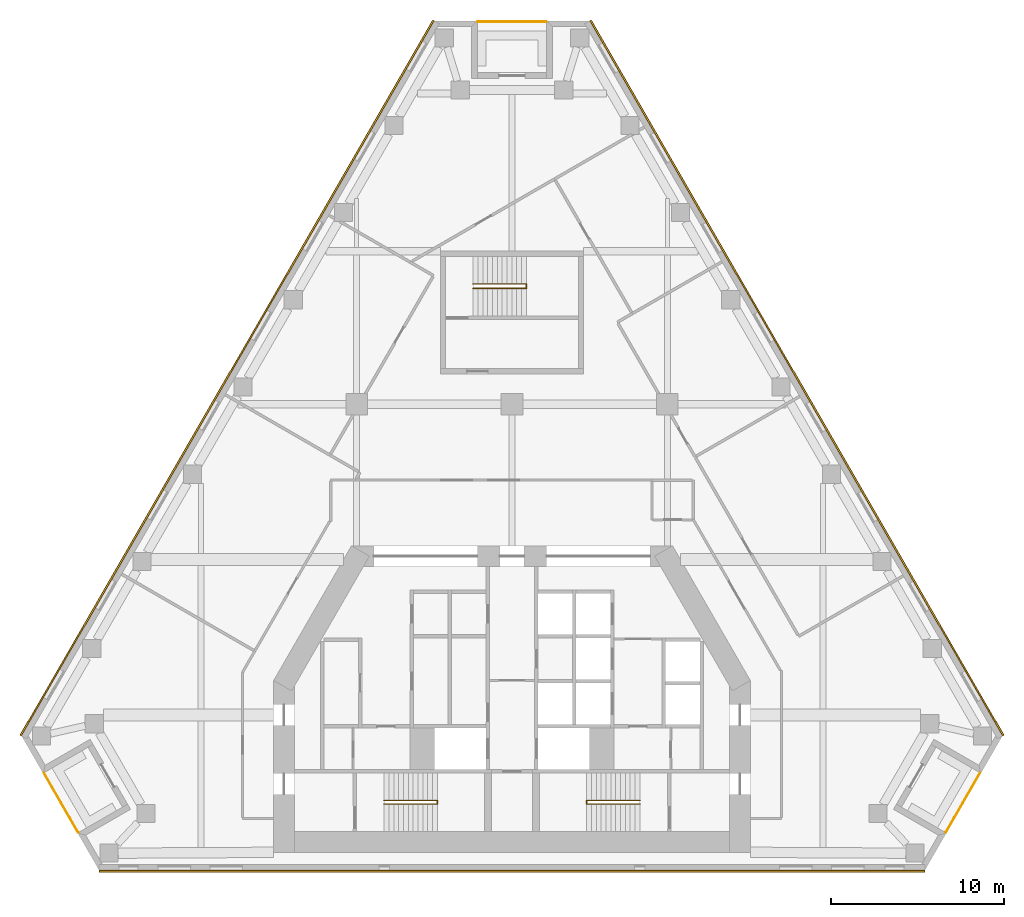
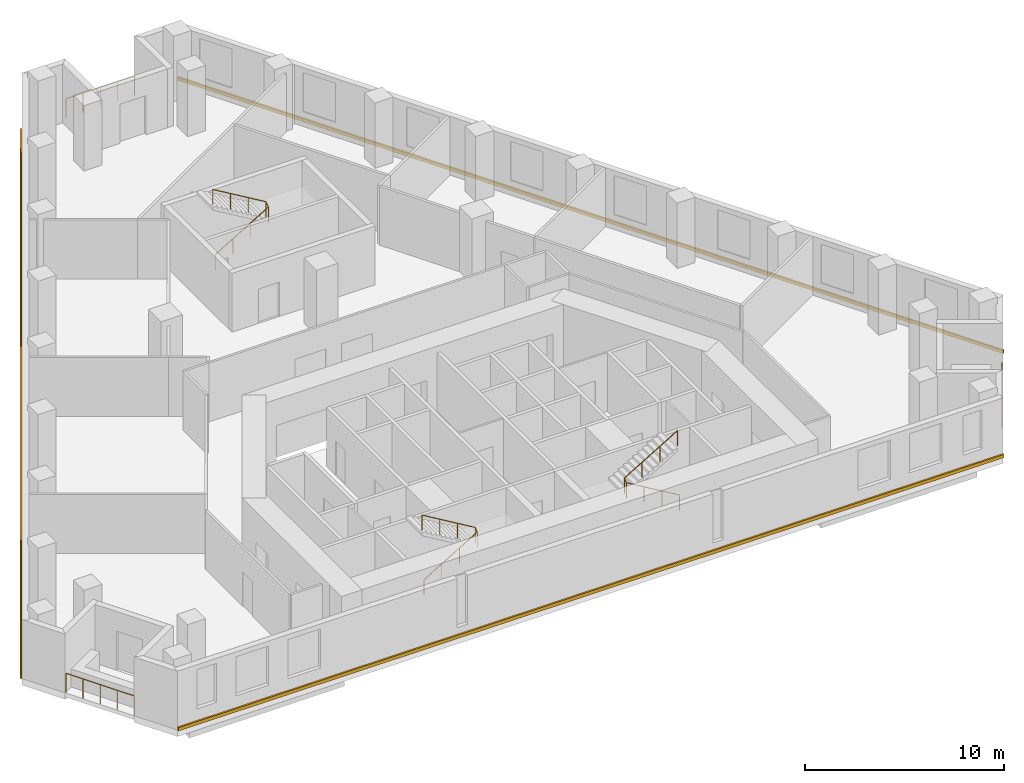
# One storey, part 7 of 7: 6 railings, 3 coverings.
"""IFC4 building model written with IfcOpenShell, lengths in metres."""

from ifc_helpers import new_model, si_unit, direction, frame, origin, origin_2d, place, context, subcontext, project, spatial, polyline, circle, outline, extrude, material, type_object, element, save


model = new_model("IFC4")

# Units and contexts
model_context = context("Model", 3, precision=1e-05, world=origin(), true_north=direction((0.0, 1.0)))
body_context = subcontext(model_context, "Body", "Model", "MODEL_VIEW")
ifc_project = project(units=[si_unit("LENGTHUNIT", "METRE"), si_unit("AREAUNIT", "SQUARE_METRE"), si_unit("VOLUMEUNIT", "CUBIC_METRE"), si_unit("PLANEANGLEUNIT", "RADIAN"), si_unit("MASSUNIT", "GRAM", prefix="KILO")], contexts=[model_context])

# Site, building, storey
site_placement = place(None, origin())
site = spatial("IfcSite", under=ifc_project, at=site_placement, CompositionType="ELEMENT")
building_placement = place(site_placement, origin())
building = spatial("IfcBuilding", under=site, at=building_placement, Name="Fogline Exchange Tower", CompositionType="ELEMENT")
storey_placement = place(building_placement, frame((0.0, 0.0, 166.89990234375)))
storey = spatial("IfcBuildingStorey", under=building, at=storey_placement, Name="L37", CompositionType="ELEMENT", Elevation=166.89990234375)

# Railings
ifc_material_1 = material(Name="Stainless steel 304", Category="steel")
railing_type_1 = type_object("IfcRailingType", Name="G1", PredefinedType="GUARDRAIL", material=ifc_material_1)
railing_1_placement = place(storey_placement, frame((-27.099853515625, 5.635986328125, 0.0)))
element("IfcRailing", 1, at=railing_1_placement, inside=storey, type_object=railing_type_1, Name="Balcony guard L37 SW", PredefinedType="GUARDRAIL", context=body_context, shape_type="SweptSolid", body=[
    extrude(circle(Radius=0.02392578125, at=origin_2d()), frame((0.0, 0.0, 1.17578125), z_axis=(0.500000102728, -0.866025344474, 0.0), x_axis=(0.866025344474, 0.500000102728, 0.0)), (0.0, 0.0, 1.0), 3.9580078125),
    extrude(circle(Radius=0.02099609375, at=origin_2d()), origin(), (0.0, 0.0, 1.0), 1.15185546875),
    extrude(circle(Radius=0.02099609375, at=origin_2d()), frame((0.49462890625, -0.85693359375, 0.0)), (0.0, 0.0, 1.0), 1.15185546875),
    extrude(circle(Radius=0.02099609375, at=origin_2d()), frame((0.989501953125, -1.7138671875, 0.0)), (0.0, 0.0, 1.0), 1.15185546875),
    extrude(circle(Radius=0.02099609375, at=origin_2d()), frame((1.484375, -2.57080078125, 0.0)), (0.0, 0.0, 1.0), 1.15185546875),
    extrude(circle(Radius=0.02099609375, at=origin_2d()), frame((1.97900390625, -3.427734375, 0.0)), (0.0, 0.0, 1.0), 1.15185546875),
])
railing_2_placement = place(storey_placement, frame((25.120849609375, 2.208251953125, 0.0)))
element("IfcRailing", 2, at=railing_2_placement, inside=storey, type_object=railing_type_1, Name="Balcony guard L37 SE", PredefinedType="GUARDRAIL", context=body_context, shape_type="SweptSolid", body=[
    extrude(circle(Radius=0.02392578125, at=origin_2d()), frame((0.0, 0.0, 1.17578125), z_axis=(0.500000102728, 0.866025344474, 0.0), x_axis=(-0.866025344474, 0.500000102728, 0.0)), (0.0, 0.0, 1.0), 3.9580078125),
    extrude(circle(Radius=0.02099609375, at=origin_2d()), origin(), (0.0, 0.0, 1.0), 1.15185546875),
    extrude(circle(Radius=0.02099609375, at=origin_2d()), frame((0.49462890625, 0.85693359375, 0.0)), (0.0, 0.0, 1.0), 1.15185546875),
    extrude(circle(Radius=0.02099609375, at=origin_2d()), frame((0.989501953125, 1.7138671875, 0.0)), (0.0, 0.0, 1.0), 1.15185546875),
    extrude(circle(Radius=0.02099609375, at=origin_2d()), frame((1.484375, 2.57080078125, 0.0)), (0.0, 0.0, 1.0), 1.15185546875),
    extrude(circle(Radius=0.02099609375, at=origin_2d()), frame((1.97900390625, 3.427734375, 0.0)), (0.0, 0.0, 1.0), 1.15185546875),
])
railing_3_placement = place(storey_placement, frame((1.97900390625, 49.146728515625, 0.0)))
element("IfcRailing", 3, at=railing_3_placement, inside=storey, type_object=railing_type_1, Name="Balcony guard L37 N", PredefinedType="GUARDRAIL", context=body_context, shape_type="SweptSolid", body=[
    extrude(circle(Radius=0.02392578125, at=origin_2d()), frame((0.0, 0.0, 1.17578125), z_axis=(-1.0, 0.0, 0.0), x_axis=(0.0, -1.0, 0.0)), (0.0, 0.0, 1.0), 3.9580078125),
    extrude(circle(Radius=0.02099609375, at=origin_2d()), origin(), (0.0, 0.0, 1.0), 1.15185546875),
    extrude(circle(Radius=0.02099609375, at=origin_2d()), frame((-0.989501953125, 0.0, 0.0)), (0.0, 0.0, 1.0), 1.15185546875),
    extrude(circle(Radius=0.02099609375, at=origin_2d()), frame((-1.97900390625, 0.0, 0.0)), (0.0, 0.0, 1.0), 1.15185546875),
    extrude(circle(Radius=0.02099609375, at=origin_2d()), frame((-2.968505859375, 0.0, 0.0)), (0.0, 0.0, 1.0), 1.15185546875),
    extrude(circle(Radius=0.02099609375, at=origin_2d()), frame((-3.9580078125, 0.0, 0.0)), (0.0, 0.0, 1.0), 1.15185546875),
])
ifc_material_2 = material(Name="Steel Q235B", Category="steel")
railing_type_2 = type_object("IfcRailingType", Name="RL-HR", PredefinedType="HANDRAIL", material=ifc_material_2)
railing_4_placement = place(storey_placement, frame((-7.39990234375, 3.85009765625, 0.166748046875)))
element("IfcRailing", 4, at=railing_4_placement, inside=storey, type_object=railing_type_2, Name="Handrail ST1", PredefinedType="HANDRAIL", context=body_context, shape_type="SweptSolid", body=[
    extrude(circle(Radius=0.02392578125, at=origin_2d()), frame((0.0, 0.0, 0.92578125), z_axis=(0.859290745958, 0.0, 0.51148745235), x_axis=(0.0, 1.0, 0.0)), (0.0, 0.0, 1.0), 3.584228515625),
    extrude(circle(Radius=0.02392578125, at=origin_2d()), frame((3.079833984375, 0.0, 2.75927734375), z_axis=(0.0, 0.767990643491, 0.640461061666), x_axis=(-1.0, 0.0, 0.0)), (0.0, 0.0, 1.0), 0.26025390625),
    extrude(circle(Radius=0.02392578125, at=origin_2d()), frame((3.079833984375, 0.199951171875, 2.92578125), z_axis=(-0.859290745958, 0.0, 0.51148745235), x_axis=(0.0, -1.0, 0.0)), (0.0, 0.0, 1.0), 3.584228515625),
    extrude(circle(Radius=0.02099609375, at=origin_2d()), origin(), (0.0, 0.0, 1.0), 0.90185546875),
    extrude(circle(Radius=0.02099609375, at=origin_2d()), frame((1.026611328125, 0.0, 0.611083984375)), (0.0, 0.0, 1.0), 0.90185546875),
    extrude(circle(Radius=0.02099609375, at=origin_2d()), frame((2.05322265625, 0.0, 1.22216796875)), (0.0, 0.0, 1.0), 0.90185546875),
    extrude(circle(Radius=0.02099609375, at=origin_2d()), frame((3.079833984375, 0.0, 1.833251953125)), (0.0, 0.0, 1.0), 0.90185546875),
    extrude(circle(Radius=0.02099609375, at=origin_2d()), frame((3.079833984375, 0.199951171875, 2.0)), (0.0, 0.0, 1.0), 0.90185546875),
    extrude(circle(Radius=0.02099609375, at=origin_2d()), frame((2.05322265625, 0.199951171875, 2.611083984375)), (0.0, 0.0, 1.0), 0.90185546875),
    extrude(circle(Radius=0.02099609375, at=origin_2d()), frame((1.026611328125, 0.199951171875, 3.22216796875)), (0.0, 0.0, 1.0), 0.90185546875),
    extrude(circle(Radius=0.02099609375, at=origin_2d()), frame((0.0, 0.199951171875, 3.833251953125)), (0.0, 0.0, 1.0), 0.90185546875),
])
railing_5_placement = place(storey_placement, frame((7.39990234375, 3.85009765625, 0.166748046875)))
element("IfcRailing", 5, at=railing_5_placement, inside=storey, type_object=railing_type_2, Name="Handrail ST2", PredefinedType="HANDRAIL", context=body_context, shape_type="SweptSolid", body=[
    extrude(circle(Radius=0.02392578125, at=origin_2d()), frame((0.0, 0.0, 0.92578125), z_axis=(-0.859290745958, 0.0, 0.51148745235), x_axis=(0.0, -1.0, 0.0)), (0.0, 0.0, 1.0), 3.584228515625),
    extrude(circle(Radius=0.02392578125, at=origin_2d()), frame((-3.079833984375, 0.0, 2.75927734375), z_axis=(0.0, 0.767990643491, 0.640461061666), x_axis=(-1.0, 0.0, 0.0)), (0.0, 0.0, 1.0), 0.26025390625),
    extrude(circle(Radius=0.02392578125, at=origin_2d()), frame((-3.079833984375, 0.199951171875, 2.92578125), z_axis=(0.859290745958, 0.0, 0.51148745235), x_axis=(0.0, 1.0, 0.0)), (0.0, 0.0, 1.0), 3.584228515625),
    extrude(circle(Radius=0.02099609375, at=origin_2d()), origin(), (0.0, 0.0, 1.0), 0.90185546875),
    extrude(circle(Radius=0.02099609375, at=origin_2d()), frame((-1.026611328125, 0.0, 0.611083984375)), (0.0, 0.0, 1.0), 0.90185546875),
    extrude(circle(Radius=0.02099609375, at=origin_2d()), frame((-2.05322265625, 0.0, 1.22216796875)), (0.0, 0.0, 1.0), 0.90185546875),
    extrude(circle(Radius=0.02099609375, at=origin_2d()), frame((-3.079833984375, 0.0, 1.833251953125)), (0.0, 0.0, 1.0), 0.90185546875),
    extrude(circle(Radius=0.02099609375, at=origin_2d()), frame((-3.079833984375, 0.199951171875, 2.0)), (0.0, 0.0, 1.0), 0.90185546875),
    extrude(circle(Radius=0.02099609375, at=origin_2d()), frame((-2.05322265625, 0.199951171875, 2.611083984375)), (0.0, 0.0, 1.0), 0.90185546875),
    extrude(circle(Radius=0.02099609375, at=origin_2d()), frame((-1.026611328125, 0.199951171875, 3.22216796875)), (0.0, 0.0, 1.0), 0.90185546875),
    extrude(circle(Radius=0.02099609375, at=origin_2d()), frame((0.0, 0.199951171875, 3.833251953125)), (0.0, 0.0, 1.0), 0.90185546875),
])
railing_6_placement = place(storey_placement, frame((-2.25, 33.70703125, 0.166748046875)))
element("IfcRailing", 6, at=railing_6_placement, inside=storey, type_object=railing_type_2, Name="Handrail ST3", PredefinedType="HANDRAIL", context=body_context, shape_type="SweptSolid", body=[
    extrude(circle(Radius=0.02392578125, at=origin_2d()), frame((0.0, 0.0, 0.92578125), z_axis=(0.859308565015, 0.0, 0.511457515432), x_axis=(0.0, 1.0, 0.0)), (0.0, 0.0, 1.0), 3.58447265625),
    extrude(circle(Radius=0.02392578125, at=origin_2d()), frame((3.080078125, 0.0, 2.75927734375), z_axis=(0.0, 0.831925284441, 0.554887665306), x_axis=(-1.0, 0.0, 0.0)), (0.0, 0.0, 1.0), 0.300537109375),
    extrude(circle(Radius=0.02392578125, at=origin_2d()), frame((3.080078125, 0.25, 2.92578125), z_axis=(-0.859308565015, 0.0, 0.511457515432), x_axis=(0.0, -1.0, 0.0)), (0.0, 0.0, 1.0), 3.58447265625),
    extrude(circle(Radius=0.02099609375, at=origin_2d()), origin(), (0.0, 0.0, 1.0), 0.90185546875),
    extrude(circle(Radius=0.02099609375, at=origin_2d()), frame((1.026611328125, 0.0, 0.611083984375)), (0.0, 0.0, 1.0), 0.90185546875),
    extrude(circle(Radius=0.02099609375, at=origin_2d()), frame((2.053466796875, 0.0, 1.22216796875)), (0.0, 0.0, 1.0), 0.90185546875),
    extrude(circle(Radius=0.02099609375, at=origin_2d()), frame((3.080078125, 0.0, 1.833251953125)), (0.0, 0.0, 1.0), 0.90185546875),
    extrude(circle(Radius=0.02099609375, at=origin_2d()), frame((3.080078125, 0.25, 2.0)), (0.0, 0.0, 1.0), 0.90185546875),
    extrude(circle(Radius=0.02099609375, at=origin_2d()), frame((2.053466796875, 0.25, 2.611083984375)), (0.0, 0.0, 1.0), 0.90185546875),
    extrude(circle(Radius=0.02099609375, at=origin_2d()), frame((1.026611328125, 0.25, 3.22216796875)), (0.0, 0.0, 1.0), 0.90185546875),
    extrude(circle(Radius=0.02099609375, at=origin_2d()), frame((0.0, 0.25, 3.833251953125)), (0.0, 0.0, 1.0), 0.90185546875),
])

# Coverings
ifc_material_3 = material(Name="Brick masonry", Category="masonry")
covering_type = type_object("IfcCoveringType", Name="SB1", PredefinedType="CLADDING", material=ifc_material_3)
covering_1_placement = place(storey_placement, origin())
element("IfcCovering", 7, at=covering_1_placement, inside=storey, type_object=covering_type, Name="Stringcourse band L37 S", PredefinedType="CLADDING", context=body_context, shape_type="SweptSolid", body=[
    extrude(outline(polyline([(-23.90380859375, 0.0), (-23.90380859375, -0.10009765625), (23.90380859375, -0.10009765625), (23.90380859375, 0.0), (-23.90380859375, 0.0)])), origin(), (0.0, 0.0, 1.0), 0.2001953125),
])
covering_2_placement = place(storey_placement, origin())
element("IfcCovering", 8, at=covering_2_placement, inside=storey, type_object=covering_type, Name="Stringcourse band L37 E", PredefinedType="CLADDING", context=body_context, shape_type="SweptSolid", body=[
    extrude(outline(polyline([(28.40380859375, 7.794189453125), (28.490234375, 7.84423828125), (4.586669921875, 49.24658203125), (4.5, 49.19677734375), (28.40380859375, 7.794189453125)])), origin(), (0.0, 0.0, 1.0), 0.2001953125),
])
covering_3_placement = place(storey_placement, origin())
element("IfcCovering", 9, at=covering_3_placement, inside=storey, type_object=covering_type, Name="Stringcourse band L37 W", PredefinedType="CLADDING", context=body_context, shape_type="SweptSolid", body=[
    extrude(outline(polyline([(-4.5, 49.19677734375), (-4.586669921875, 49.24658203125), (-28.490234375, 7.84423828125), (-28.40380859375, 7.794189453125), (-4.5, 49.19677734375)])), origin(), (0.0, 0.0, 1.0), 0.2001953125),
])

save(model, "model.ifc")
